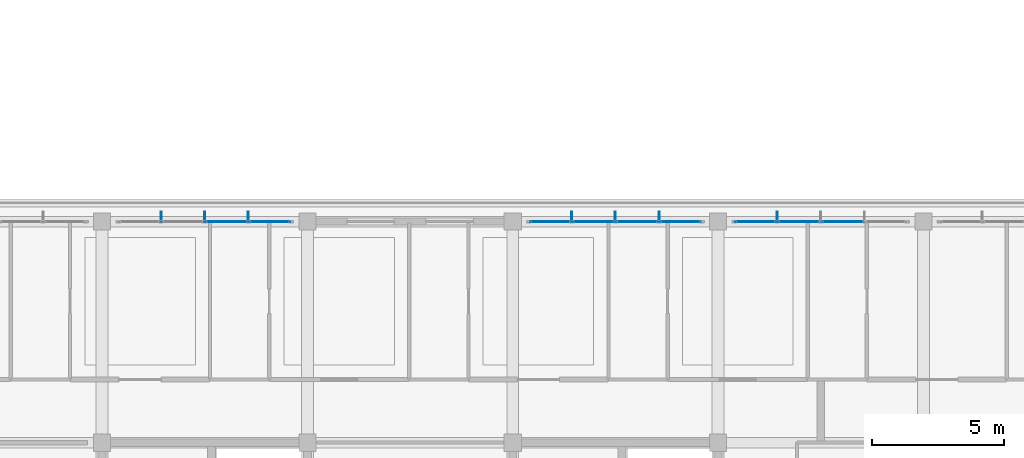
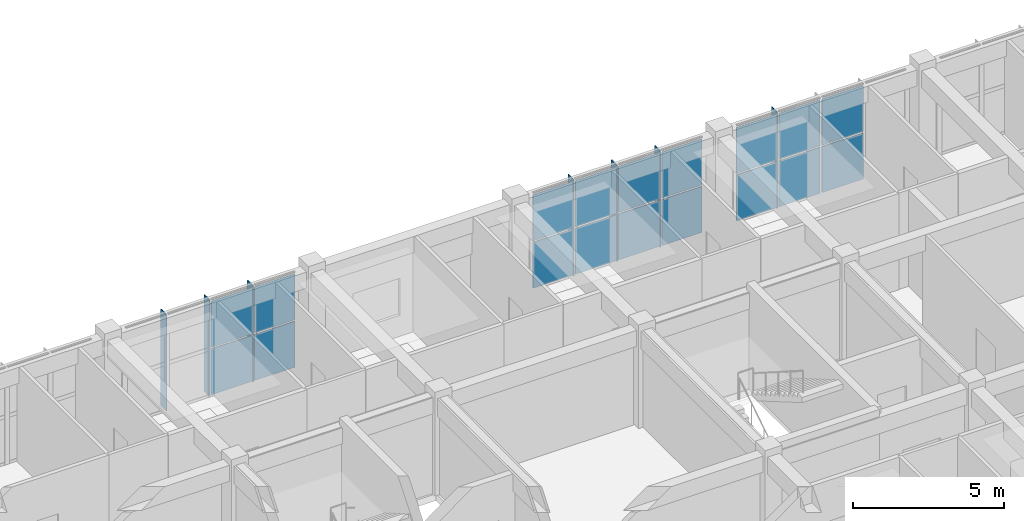
# One storey, part 44 of 63: 25 plates, 3 elements without a shape of their own.
"""IFC4 building model written with IfcOpenShell, lengths in metres."""

from ifc_helpers import new_model, si_unit, direction, frame, origin, origin_2d, place, context, subcontext, project, spatial, polyline, rectangle, outline, extrude, material, layer, layer_set, type_object, element, aggregate, save


model = new_model("IFC4")

# Units and contexts
model_context = context("Model", 3, precision=1e-05, world=origin(), true_north=direction((0.0, 1.0)))
body_context = subcontext(model_context, "Body", "Model", "MODEL_VIEW")
ifc_project = project(units=[si_unit("LENGTHUNIT", "METRE"), si_unit("AREAUNIT", "SQUARE_METRE"), si_unit("VOLUMEUNIT", "CUBIC_METRE"), si_unit("PLANEANGLEUNIT", "RADIAN"), si_unit("MASSUNIT", "GRAM", prefix="KILO")], contexts=[model_context])

# Site, building, storey
site_placement = place(None, origin())
site = spatial("IfcSite", under=ifc_project, at=site_placement, CompositionType="ELEMENT")
building_placement = place(site_placement, origin())
building = spatial("IfcBuilding", under=site, at=building_placement, Name="Zizhar Promenade General Hospital", CompositionType="ELEMENT")
storey_placement = place(building_placement, frame((0.0, 0.0, 18.0)))
storey = spatial("IfcBuildingStorey", under=building, at=storey_placement, Name="L04", CompositionType="ELEMENT", Elevation=18.0)

# Curtain wall, plates
ifc_material_1 = material(Name="Anodised aluminium 6063-T6 and low-E glass", Category="aluminium")
ifc_layer_1 = layer(ifc_material_1, 0.159912109375)
ifc_layer_set_1 = layer_set([ifc_layer_1], Name="Anodised aluminium 6063-T6 and low-E glass")
curtain_wall_type = type_object("IfcCurtainWallType", Name="CW-WARD-RIB", PredefinedType="NOTDEFINED", material=ifc_layer_set_1)
curtain_wall_1_placement = place(storey_placement, origin())
curtain_wall_1 = element("IfcCurtainWall", 1, at=curtain_wall_1_placement, inside=storey, type_object=curtain_wall_type, Name="Ward Ribbon Curtain Wall L04-8-3", PredefinedType="NOTDEFINED")
ifc_material_2 = material(Name="Low-E solar-control glass", Category="glass")
ifc_layer_2 = layer(ifc_material_2, 0.031982421875)
ifc_layer_set_2 = layer_set([ifc_layer_2], Name="Low-E solar-control glass")
plate_type_1 = type_object("IfcPlateType", Name="CWP-GLZ-32", PredefinedType="CURTAIN_PANEL", material=ifc_layer_set_2)
plate_1_placement = place(storey_placement, frame((51.530029296875, 25.199951171875, 0.06005859375), z_axis=(0.0, 0.0, 1.0), x_axis=(1.0, 0.0, 0.0)))
plate_1 = element("IfcPlate", 2, at=plate_1_placement, type_object=plate_type_1, Name="CW-13 panel 3.1", PredefinedType="CURTAIN_PANEL", context=body_context, shape_type="SweptSolid", body=[
    extrude(rectangle(XDim=1.580078125, YDim=0.031982421875, at=origin_2d()), origin(), (0.0, 0.0, 1.0), 1.860107421875),
])
plate_2_placement = place(storey_placement, frame((51.530029296875, 25.199951171875, 1.97998046875), z_axis=(0.0, 0.0, 1.0), x_axis=(1.0, 0.0, 0.0)))
plate_2 = element("IfcPlate", 3, at=plate_2_placement, type_object=plate_type_1, Name="CW-13 panel 3.2", PredefinedType="CURTAIN_PANEL", context=body_context, shape_type="SweptSolid", body=[
    extrude(rectangle(XDim=1.580078125, YDim=0.031982421875, at=origin_2d()), origin(), (0.0, 0.0, 1.0), 1.860107421875),
])
plate_3_placement = place(storey_placement, frame((53.169921875, 25.199951171875, 0.06005859375), z_axis=(0.0, 0.0, 1.0), x_axis=(1.0, 0.0, 0.0)))
plate_3 = element("IfcPlate", 4, at=plate_3_placement, type_object=plate_type_1, Name="CW-13 panel 4.1", PredefinedType="CURTAIN_PANEL", context=body_context, shape_type="SweptSolid", body=[
    extrude(rectangle(XDim=1.5400390625, YDim=0.031982421875, at=origin_2d()), origin(), (0.0, 0.0, 1.0), 1.860107421875),
])
plate_4_placement = place(storey_placement, frame((53.169921875, 25.199951171875, 1.97998046875), z_axis=(0.0, 0.0, 1.0), x_axis=(1.0, 0.0, 0.0)))
plate_4 = element("IfcPlate", 5, at=plate_4_placement, type_object=plate_type_1, Name="CW-13 panel 4.2", PredefinedType="CURTAIN_PANEL", context=body_context, shape_type="SweptSolid", body=[
    extrude(rectangle(XDim=1.5400390625, YDim=0.031982421875, at=origin_2d()), origin(), (0.0, 0.0, 1.0), 1.860107421875),
])
aggregate(curtain_wall_1, [plate_1, plate_2, plate_3, plate_4])

curtain_wall_2_placement = place(storey_placement, origin())
curtain_wall_2 = element("IfcCurtainWall", 6, at=curtain_wall_2_placement, inside=storey, type_object=curtain_wall_type, Name="Ward Ribbon Curtain Wall L04-8-5", PredefinedType="NOTDEFINED")
plate_5_placement = place(storey_placement, frame((63.830078125, 25.199951171875, 0.06005859375), z_axis=(0.0, 0.0, 1.0), x_axis=(1.0, 0.0, 0.0)))
plate_5 = element("IfcPlate", 7, at=plate_5_placement, type_object=plate_type_1, Name="CW-13 panel 1.1", PredefinedType="CURTAIN_PANEL", context=body_context, shape_type="SweptSolid", body=[
    extrude(rectangle(XDim=1.5400390625, YDim=0.031982421875, at=origin_2d()), origin(), (0.0, 0.0, 1.0), 1.860107421875),
])
plate_6_placement = place(storey_placement, frame((63.830078125, 25.199951171875, 1.97998046875), z_axis=(0.0, 0.0, 1.0), x_axis=(1.0, 0.0, 0.0)))
plate_6 = element("IfcPlate", 8, at=plate_6_placement, type_object=plate_type_1, Name="CW-13 panel 1.2", PredefinedType="CURTAIN_PANEL", context=body_context, shape_type="SweptSolid", body=[
    extrude(rectangle(XDim=1.5400390625, YDim=0.031982421875, at=origin_2d()), origin(), (0.0, 0.0, 1.0), 1.860107421875),
])
plate_7_placement = place(storey_placement, frame((65.469970703125, 25.199951171875, 0.06005859375), z_axis=(0.0, 0.0, 1.0), x_axis=(1.0, 0.0, 0.0)))
plate_7 = element("IfcPlate", 9, at=plate_7_placement, type_object=plate_type_1, Name="CW-13 panel 2.1", PredefinedType="CURTAIN_PANEL", context=body_context, shape_type="SweptSolid", body=[
    extrude(rectangle(XDim=1.580078125, YDim=0.031982421875, at=origin_2d()), origin(), (0.0, 0.0, 1.0), 1.860107421875),
])
plate_8_placement = place(storey_placement, frame((65.469970703125, 25.199951171875, 1.97998046875), z_axis=(0.0, 0.0, 1.0), x_axis=(1.0, 0.0, 0.0)))
plate_8 = element("IfcPlate", 10, at=plate_8_placement, type_object=plate_type_1, Name="CW-13 panel 2.2", PredefinedType="CURTAIN_PANEL", context=body_context, shape_type="SweptSolid", body=[
    extrude(rectangle(XDim=1.580078125, YDim=0.031982421875, at=origin_2d()), origin(), (0.0, 0.0, 1.0), 1.860107421875),
])
plate_9_placement = place(storey_placement, frame((67.1298828125, 25.199951171875, 0.06005859375), z_axis=(0.0, 0.0, 1.0), x_axis=(1.0, 0.0, 0.0)))
plate_9 = element("IfcPlate", 11, at=plate_9_placement, type_object=plate_type_1, Name="CW-13 panel 3.1", PredefinedType="CURTAIN_PANEL", context=body_context, shape_type="SweptSolid", body=[
    extrude(rectangle(XDim=1.580078125, YDim=0.031982421875, at=origin_2d()), origin(), (0.0, 0.0, 1.0), 1.860107421875),
])
plate_10_placement = place(storey_placement, frame((67.1298828125, 25.199951171875, 1.97998046875), z_axis=(0.0, 0.0, 1.0), x_axis=(1.0, 0.0, 0.0)))
plate_10 = element("IfcPlate", 12, at=plate_10_placement, type_object=plate_type_1, Name="CW-13 panel 3.2", PredefinedType="CURTAIN_PANEL", context=body_context, shape_type="SweptSolid", body=[
    extrude(rectangle(XDim=1.580078125, YDim=0.031982421875, at=origin_2d()), origin(), (0.0, 0.0, 1.0), 1.860107421875),
])
plate_11_placement = place(storey_placement, frame((68.77001953125, 25.199951171875, 0.06005859375), z_axis=(0.0, 0.0, 1.0), x_axis=(1.0, 0.0, 0.0)))
plate_11 = element("IfcPlate", 13, at=plate_11_placement, type_object=plate_type_1, Name="CW-13 panel 4.1", PredefinedType="CURTAIN_PANEL", context=body_context, shape_type="SweptSolid", body=[
    extrude(rectangle(XDim=1.5400390625, YDim=0.031982421875, at=origin_2d()), origin(), (0.0, 0.0, 1.0), 1.860107421875),
])
plate_12_placement = place(storey_placement, frame((68.77001953125, 25.199951171875, 1.97998046875), z_axis=(0.0, 0.0, 1.0), x_axis=(1.0, 0.0, 0.0)))
plate_12 = element("IfcPlate", 14, at=plate_12_placement, type_object=plate_type_1, Name="CW-13 panel 4.2", PredefinedType="CURTAIN_PANEL", context=body_context, shape_type="SweptSolid", body=[
    extrude(rectangle(XDim=1.5400390625, YDim=0.031982421875, at=origin_2d()), origin(), (0.0, 0.0, 1.0), 1.860107421875),
])
aggregate(curtain_wall_2, [plate_5, plate_6, plate_7, plate_8, plate_9, plate_10, plate_11, plate_12])

curtain_wall_3_placement = place(storey_placement, origin())
curtain_wall_3 = element("IfcCurtainWall", 15, at=curtain_wall_3_placement, inside=storey, type_object=curtain_wall_type, Name="Ward Ribbon Curtain Wall L04-8-6", PredefinedType="NOTDEFINED")
plate_13_placement = place(storey_placement, frame((71.6298828125, 25.199951171875, 0.06005859375), z_axis=(0.0, 0.0, 1.0), x_axis=(1.0, 0.0, 0.0)))
plate_13 = element("IfcPlate", 16, at=plate_13_placement, type_object=plate_type_1, Name="CW-13 panel 1.1", PredefinedType="CURTAIN_PANEL", context=body_context, shape_type="SweptSolid", body=[
    extrude(rectangle(XDim=1.5400390625, YDim=0.031982421875, at=origin_2d()), origin(), (0.0, 0.0, 1.0), 1.860107421875),
])
plate_14_placement = place(storey_placement, frame((71.6298828125, 25.199951171875, 1.97998046875), z_axis=(0.0, 0.0, 1.0), x_axis=(1.0, 0.0, 0.0)))
plate_14 = element("IfcPlate", 17, at=plate_14_placement, type_object=plate_type_1, Name="CW-13 panel 1.2", PredefinedType="CURTAIN_PANEL", context=body_context, shape_type="SweptSolid", body=[
    extrude(rectangle(XDim=1.5400390625, YDim=0.031982421875, at=origin_2d()), origin(), (0.0, 0.0, 1.0), 1.860107421875),
])
plate_15_placement = place(storey_placement, frame((73.27001953125, 25.199951171875, 0.06005859375), z_axis=(0.0, 0.0, 1.0), x_axis=(1.0, 0.0, 0.0)))
plate_15 = element("IfcPlate", 18, at=plate_15_placement, type_object=plate_type_1, Name="CW-13 panel 2.1", PredefinedType="CURTAIN_PANEL", context=body_context, shape_type="SweptSolid", body=[
    extrude(rectangle(XDim=1.580078125, YDim=0.031982421875, at=origin_2d()), origin(), (0.0, 0.0, 1.0), 1.860107421875),
])
plate_16_placement = place(storey_placement, frame((73.27001953125, 25.199951171875, 1.97998046875), z_axis=(0.0, 0.0, 1.0), x_axis=(1.0, 0.0, 0.0)))
plate_16 = element("IfcPlate", 19, at=plate_16_placement, type_object=plate_type_1, Name="CW-13 panel 2.2", PredefinedType="CURTAIN_PANEL", context=body_context, shape_type="SweptSolid", body=[
    extrude(rectangle(XDim=1.580078125, YDim=0.031982421875, at=origin_2d()), origin(), (0.0, 0.0, 1.0), 1.860107421875),
])
plate_17_placement = place(storey_placement, frame((74.929931640625, 25.199951171875, 0.06005859375), z_axis=(0.0, 0.0, 1.0), x_axis=(1.0, 0.0, 0.0)))
plate_17 = element("IfcPlate", 20, at=plate_17_placement, type_object=plate_type_1, Name="CW-13 panel 3.1", PredefinedType="CURTAIN_PANEL", context=body_context, shape_type="SweptSolid", body=[
    extrude(rectangle(XDim=1.580078125, YDim=0.031982421875, at=origin_2d()), origin(), (0.0, 0.0, 1.0), 1.860107421875),
])
plate_18_placement = place(storey_placement, frame((74.929931640625, 25.199951171875, 1.97998046875), z_axis=(0.0, 0.0, 1.0), x_axis=(1.0, 0.0, 0.0)))
plate_18 = element("IfcPlate", 21, at=plate_18_placement, type_object=plate_type_1, Name="CW-13 panel 3.2", PredefinedType="CURTAIN_PANEL", context=body_context, shape_type="SweptSolid", body=[
    extrude(rectangle(XDim=1.580078125, YDim=0.031982421875, at=origin_2d()), origin(), (0.0, 0.0, 1.0), 1.860107421875),
])
aggregate(curtain_wall_3, [plate_13, plate_14, plate_15, plate_16, plate_17, plate_18])

# Plates
ifc_material_3 = material(Name="Anodised aluminium 6063-T6", Category="aluminium")
ifc_layer_3 = layer(ifc_material_3, 0.035888671875)
ifc_layer_set_3 = layer_set([ifc_layer_3], Name="Anodised aluminium 6063-T6")
plate_type_2 = type_object("IfcPlateType", Name="FIN-ALU-380", PredefinedType="USERDEFINED", material=ifc_layer_set_3)
plate_19_placement = place(storey_placement, origin())
element("IfcPlate", 22, at=plate_19_placement, inside=storey, type_object=plate_type_2, Name="Ward Ribbon Curtain Wall L04-8-3 Solar Fin 1", ObjectType="SOLAR_SHADE", PredefinedType="USERDEFINED", context=body_context, shape_type="SweptSolid", body=[
    extrude(outline(polyline([(49.02197265625, 25.199951171875), (49.05810546875, 25.199951171875), (49.05810546875, 25.580078125), (49.02197265625, 25.580078125), (49.02197265625, 25.199951171875)])), origin(), (0.0, 0.0, 1.0), 3.89990234375),
])
plate_20_placement = place(storey_placement, origin())
element("IfcPlate", 23, at=plate_20_placement, inside=storey, type_object=plate_type_2, Name="Ward Ribbon Curtain Wall L04-8-3 Solar Fin 2", ObjectType="SOLAR_SHADE", PredefinedType="USERDEFINED", context=body_context, shape_type="SweptSolid", body=[
    extrude(outline(polyline([(50.681884765625, 25.199951171875), (50.718017578125, 25.199951171875), (50.718017578125, 25.580078125), (50.681884765625, 25.580078125), (50.681884765625, 25.199951171875)])), origin(), (0.0, 0.0, 1.0), 3.89990234375),
])
plate_21_placement = place(storey_placement, origin())
element("IfcPlate", 24, at=plate_21_placement, inside=storey, type_object=plate_type_2, Name="Ward Ribbon Curtain Wall L04-8-3 Solar Fin 3", ObjectType="SOLAR_SHADE", PredefinedType="USERDEFINED", context=body_context, shape_type="SweptSolid", body=[
    extrude(outline(polyline([(52.342041015625, 25.199951171875), (52.3779296875, 25.199951171875), (52.3779296875, 25.580078125), (52.342041015625, 25.580078125), (52.342041015625, 25.199951171875)])), origin(), (0.0, 0.0, 1.0), 3.89990234375),
])
plate_22_placement = place(storey_placement, origin())
element("IfcPlate", 25, at=plate_22_placement, inside=storey, type_object=plate_type_2, Name="Ward Ribbon Curtain Wall L04-8-5 Solar Fin 1", ObjectType="SOLAR_SHADE", PredefinedType="USERDEFINED", context=body_context, shape_type="SweptSolid", body=[
    extrude(outline(polyline([(64.6220703125, 25.199951171875), (64.657958984375, 25.199951171875), (64.657958984375, 25.580078125), (64.6220703125, 25.580078125), (64.6220703125, 25.199951171875)])), origin(), (0.0, 0.0, 1.0), 3.89990234375),
])
plate_23_placement = place(storey_placement, origin())
element("IfcPlate", 26, at=plate_23_placement, inside=storey, type_object=plate_type_2, Name="Ward Ribbon Curtain Wall L04-8-5 Solar Fin 2", ObjectType="SOLAR_SHADE", PredefinedType="USERDEFINED", context=body_context, shape_type="SweptSolid", body=[
    extrude(outline(polyline([(66.281982421875, 25.199951171875), (66.318115234375, 25.199951171875), (66.318115234375, 25.580078125), (66.281982421875, 25.580078125), (66.281982421875, 25.199951171875)])), origin(), (0.0, 0.0, 1.0), 3.89990234375),
])
plate_24_placement = place(storey_placement, origin())
element("IfcPlate", 27, at=plate_24_placement, inside=storey, type_object=plate_type_2, Name="Ward Ribbon Curtain Wall L04-8-5 Solar Fin 3", ObjectType="SOLAR_SHADE", PredefinedType="USERDEFINED", context=body_context, shape_type="SweptSolid", body=[
    extrude(outline(polyline([(67.94189453125, 25.199951171875), (67.97802734375, 25.199951171875), (67.97802734375, 25.580078125), (67.94189453125, 25.580078125), (67.94189453125, 25.199951171875)])), origin(), (0.0, 0.0, 1.0), 3.89990234375),
])
plate_25_placement = place(storey_placement, origin())
element("IfcPlate", 28, at=plate_25_placement, inside=storey, type_object=plate_type_2, Name="Ward Ribbon Curtain Wall L04-8-6 Solar Fin 1", ObjectType="SOLAR_SHADE", PredefinedType="USERDEFINED", context=body_context, shape_type="SweptSolid", body=[
    extrude(outline(polyline([(72.422119140625, 25.199951171875), (72.4580078125, 25.199951171875), (72.4580078125, 25.580078125), (72.422119140625, 25.580078125), (72.422119140625, 25.199951171875)])), origin(), (0.0, 0.0, 1.0), 3.89990234375),
])

save(model, "model.ifc")
